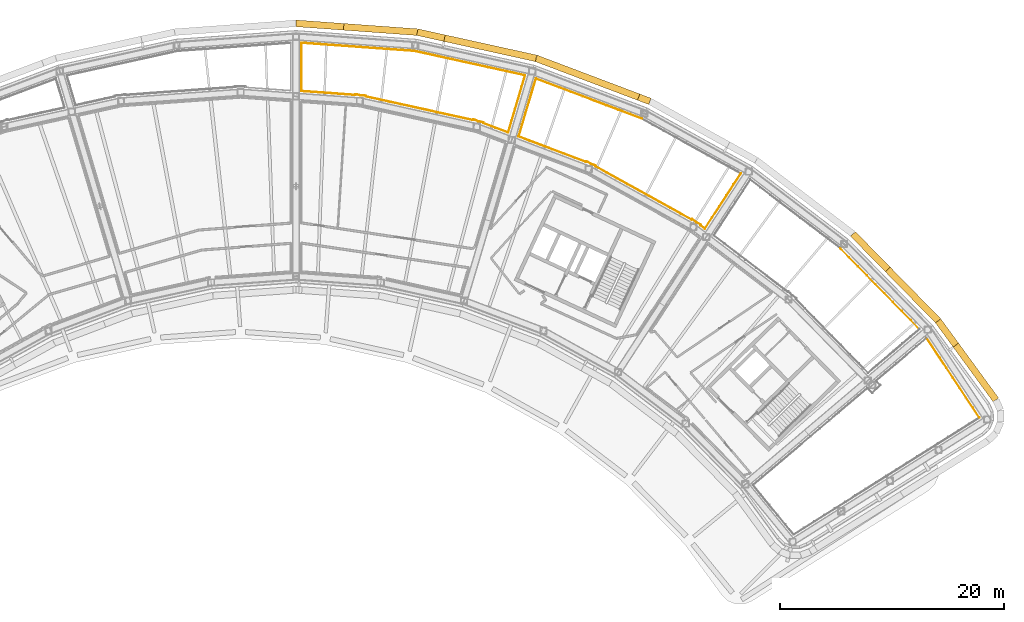
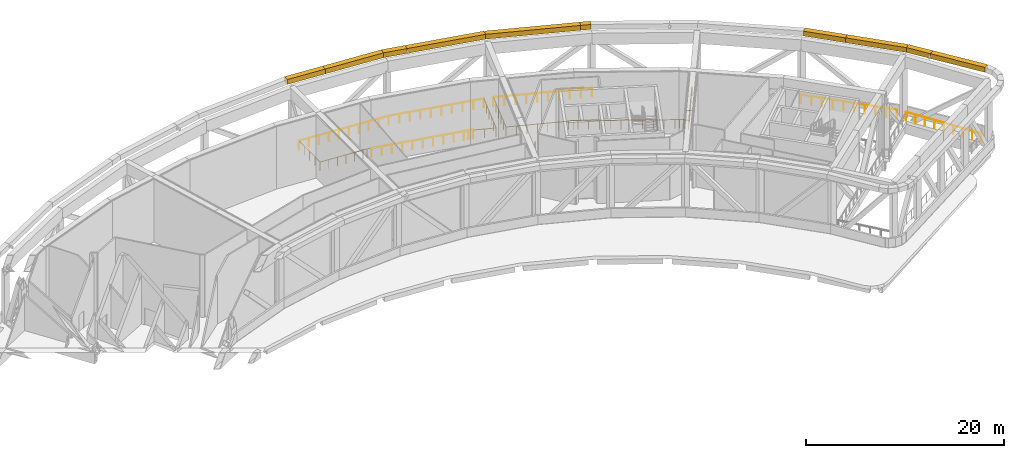
# One storey, part 25 of 27: 11 railings, 10 coverings.
"""IFC4 building model written with IfcOpenShell, lengths in metres."""

import ifcopenshell
import ifcopenshell.guid

model = None  # the IFC model being written
_history = None  # IfcOwnerHistory: only IFC2X3 demands one
_inside = {}  # id of a spatial element -> (the spatial element, [elements in it])
_under = {}  # id of a project, library or spatial element -> (it, [spatial elements below it])
_declared = {}  # id of a project -> (the project, [libraries it declares])
_typed = {}  # id of a type object -> (the type object, [elements of that type])
_made_of = {}  # id of a material, layer set ... -> (it, [elements and type objects made of it])


def new_model(schema):
    """Start an empty IFC model of exactly this schema.

    Asked for "IFC4X3", IfcOpenShell would pick the latest addendum, in which some entities
    have other attributes; the version numbers below select the first issue.
    IFC2X3 requires an IfcOwnerHistory on every rooted entity: one is made here for all.
    """
    global model, _history
    if schema == "IFC4X3":
        model = ifcopenshell.file(schema_version=(4, 3, 0, 0))
    else:
        model = ifcopenshell.file(schema=schema)
    _inside.clear()
    _under.clear()
    _declared.clear()
    _typed.clear()
    _made_of.clear()
    _history = None
    if model.schema == "IFC2X3":
        org = make("IfcOrganization", Name="unknown")
        user = make(
            "IfcPersonAndOrganization",
            ThePerson=make("IfcPerson", FamilyName="unknown"),
            TheOrganization=org,
        )
        app = make(
            "IfcApplication",
            ApplicationDeveloper=org,
            Version="unknown",
            ApplicationFullName="unknown",
            ApplicationIdentifier="unknown",
        )
        _history = make(
            "IfcOwnerHistory",
            OwningUser=user,
            OwningApplication=app,
            ChangeAction="ADDED",
            CreationDate=0,
        )
    return model


def make(cls, **values):
    """One entity of the class cls with the attributes given. An attribute that is None is left unset."""
    return model.create_entity(
        cls, **{name: value for name, value in values.items() if value is not None}
    )


def rooted(cls, **values):
    """An entity with a GlobalId (a new one), such as an element, a storey or a relation."""
    return make(cls, GlobalId=ifcopenshell.guid.new(), OwnerHistory=_history, **values)


def si_unit(unit_type, name, prefix=None):
    """IfcSIUnit, for example si_unit("LENGTHUNIT", "METRE", prefix="MILLI")."""
    return make("IfcSIUnit", UnitType=unit_type, Prefix=prefix, Name=name)


def assignment(units):
    """IfcUnitAssignment: the units of a project."""
    return None if units is None else make("IfcUnitAssignment", Units=units)


def point(xyz):
    """IfcCartesianPoint."""
    return None if xyz is None else make("IfcCartesianPoint", Coordinates=xyz)


def direction(xyz):
    """IfcDirection."""
    return None if xyz is None else make("IfcDirection", DirectionRatios=xyz)


def frame(location, z_axis=None, x_axis=None):
    """IfcAxis2Placement3D, a coordinate frame: its origin and axes. An axis left out is left unset."""
    return make(
        "IfcAxis2Placement3D",
        Location=point(location),
        Axis=direction(z_axis),
        RefDirection=direction(x_axis),
    )


def frame_2d(location, x_axis=None):
    """IfcAxis2Placement2D, a coordinate frame in the plane: its origin and x axis."""
    return make(
        "IfcAxis2Placement2D", Location=point(location), RefDirection=direction(x_axis)
    )


def origin():
    """The frame at (0, 0, 0) with its axes left unset."""
    return frame((0.0, 0.0, 0.0))


def origin_2d():
    """The frame at (0, 0) in the plane with its x axis left unset."""
    return frame_2d((0.0, 0.0))


def place(relative_to, where):
    """IfcLocalPlacement: puts the frame where relative to a parent placement (None: the world)."""
    return make(
        "IfcLocalPlacement", PlacementRelTo=relative_to, RelativePlacement=where
    )


def context(
    kind, dimensions, precision=None, world=None, true_north=None, identifier=None
):
    """IfcGeometricRepresentationContext, for example the 3D "Model" context."""
    return make(
        "IfcGeometricRepresentationContext",
        ContextIdentifier=identifier,
        ContextType=kind,
        CoordinateSpaceDimension=dimensions,
        Precision=precision,
        WorldCoordinateSystem=world,
        TrueNorth=true_north,
    )


def subcontext(parent, identifier, kind, view, scale=None):
    """IfcGeometricRepresentationSubContext, for example "Body" below "Model"."""
    return make(
        "IfcGeometricRepresentationSubContext",
        ContextIdentifier=identifier,
        ContextType=kind,
        ParentContext=parent,
        TargetScale=scale,
        TargetView=view,
    )


def project(units=None, contexts=None):
    """IfcProject with its units and contexts."""
    return rooted(
        "IfcProject",
        Name="project",
        RepresentationContexts=contexts,
        UnitsInContext=assignment(units),
    )


def spatial(cls, under=None, at=None, **own):
    """A site, building, storey or space (cls), placed at a placement, below another one or the project."""
    s = rooted(cls, ObjectPlacement=at, **own)
    if under is not None:
        _under.setdefault(under.id(), (under, []))[1].append(s)
    return s


def profile(cls, at=None, kind="AREA", **sizes):
    """A parametric profile (cls). Its sizes go by their IFC names, for example OverallWidth=200.0."""
    return make(cls, ProfileType=kind, Position=at, **sizes)


def rectangle(**sizes):
    """IfcRectangleProfileDef."""
    return profile("IfcRectangleProfileDef", **sizes)


def circle(**sizes):
    """IfcCircleProfileDef."""
    return profile("IfcCircleProfileDef", **sizes)


def extrude(swept, where, along, depth):
    """IfcExtrudedAreaSolid: the profile swept, set in the frame where, extruded along a direction by depth."""
    return make(
        "IfcExtrudedAreaSolid",
        SweptArea=swept,
        Position=where,
        ExtrudedDirection=direction(along),
        Depth=depth,
    )


def shape(context_of_items, identifier, shape_type, items):
    """IfcShapeRepresentation: the items that make up one representation, for example the "Body"."""
    return make(
        "IfcShapeRepresentation",
        ContextOfItems=context_of_items,
        RepresentationIdentifier=identifier,
        RepresentationType=shape_type,
        Items=items,
    )


def material(Name=None, Category=None):
    """IfcMaterial."""
    return make("IfcMaterial", Name=Name, Category=Category)


def material_profile(
    of_material, cross_section, Name=None, Category=None, Priority=None
):
    """IfcMaterialProfile: a cross section and its material."""
    return make(
        "IfcMaterialProfile",
        Name=Name,
        Material=of_material,
        Profile=cross_section,
        Priority=Priority,
        Category=Category,
    )


def profile_set(profiles, Name=None, composite=None):
    """IfcMaterialProfileSet."""
    return make(
        "IfcMaterialProfileSet",
        Name=Name,
        MaterialProfiles=profiles,
        CompositeProfile=composite,
    )


def made_of(thing, what):
    """Note that an element or type object is made of a material, layer set ...; save() writes the relation."""
    if what is not None:
        _made_of.setdefault(what.id(), (what, []))[1].append(thing)
    return thing


def type_object(cls, material=None, **own):
    """A type object (cls), such as IfcWallType, which elements share."""
    return made_of(rooted(cls, **own), material)


def element(
    cls,
    number,
    at=None,
    inside=None,
    cuts=None,
    type_object=None,
    material=None,
    context=None,
    identifier="Body",
    shape_type=None,
    held_by="IfcProductDefinitionShape",
    body=None,
    shapes=None,
    **own,
):
    """One element of the class cls, such as IfcWall. Its Tag is "e" and its number.

    at: its placement. inside: the storey or other place that contains it. cuts: it is an
    opening in that element (IfcRelVoidsElement). A single representation is given by context,
    identifier, shape_type and body (its items); several are given by shapes. held_by: the class
    of the entity that holds the representations. save() writes the other relations.
    """
    e = rooted(cls, Tag="e%d" % number, ObjectPlacement=at, **own)
    if body is not None:
        shapes = [shape(context, identifier, shape_type, body)]
    if shapes is not None:
        e.Representation = make(held_by, Representations=shapes)
    if inside is not None:
        _inside.setdefault(inside.id(), (inside, []))[1].append(e)
    if cuts is not None:
        rooted(
            "IfcRelVoidsElement", RelatingBuildingElement=cuts, RelatedOpeningElement=e
        )
    if type_object is not None:
        _typed.setdefault(type_object.id(), (type_object, []))[1].append(e)
    return made_of(e, material)


def aggregate(whole, parts):
    """IfcRelAggregates: a whole, such as a stair, and the parts it consists of."""
    return rooted("IfcRelAggregates", RelatingObject=whole, RelatedObjects=parts)


def save(model, path):
    """Write the relations noted so far, then the file.

    IfcRelAggregates (storeys below a building ...), IfcRelContainedInSpatialStructure (elements
    in a storey), IfcRelDefinesByType, IfcRelAssociatesMaterial and IfcRelDeclares: one each for
    every whole, place, type object, material and project.
    """
    for whole, parts in _under.values():
        aggregate(whole, parts)
    for where, things in _inside.values():
        rooted(
            "IfcRelContainedInSpatialStructure",
            RelatedElements=things,
            RelatingStructure=where,
        )
    for kind, things in _typed.values():
        rooted("IfcRelDefinesByType", RelatedObjects=things, RelatingType=kind)
    for what, things in _made_of.values():
        rooted("IfcRelAssociatesMaterial", RelatedObjects=things, RelatingMaterial=what)
    for by, libraries in _declared.values():
        rooted("IfcRelDeclares", RelatingContext=by, RelatedDefinitions=libraries)
    model.write(path)


model = new_model("IFC4")

# Units and contexts
model_context = context("Model", 3, precision=1e-05, world=origin(), true_north=direction((0.0, 1.0)))
body_context = subcontext(model_context, "Body", "Model", "MODEL_VIEW")
ifc_project = project(units=[si_unit("LENGTHUNIT", "METRE"), si_unit("AREAUNIT", "SQUARE_METRE"), si_unit("VOLUMEUNIT", "CUBIC_METRE"), si_unit("PLANEANGLEUNIT", "RADIAN"), si_unit("MASSUNIT", "GRAM", prefix="KILO")], contexts=[model_context])

# Site, building, storey
site_placement = place(None, origin())
site = spatial("IfcSite", under=ifc_project, at=site_placement, CompositionType="ELEMENT")
building_placement = place(site_placement, origin())
building = spatial("IfcBuilding", under=site, at=building_placement, Name="Tuul Gate Civic Tower", CompositionType="ELEMENT")
storey_placement = place(building_placement, frame((0.0, 0.0, 201.5)))
storey = spatial("IfcBuildingStorey", under=building, at=storey_placement, Name="Wind floor 1", CompositionType="ELEMENT", Elevation=201.5)

# Railings
ifc_material_1 = material(Name="Painted steel", Category="steel")
railing_type = type_object("IfcRailingType", Name="Slot guard", PredefinedType="GUARDRAIL", material=ifc_material_1)
railing_1_placement = place(storey_placement, frame((6.43994140625, 18.027587890625, 0.0)))
element("IfcRailing", 1, at=railing_1_placement, inside=storey, type_object=railing_type, Name="Guard", PredefinedType="GUARDRAIL", context=body_context, shape_type="SweptSolid", body=[
    extrude(circle(Radius=0.02392578125, at=origin_2d()), frame((0.0, 0.0, 1.076171875), z_axis=(0.0, -1.0, 0.0), x_axis=(1.0, 0.0, 0.0)), (0.0, 0.0, 1.0), 4.305419921875),
    extrude(circle(Radius=0.02392578125, at=origin_2d()), frame((0.0, -4.305419921875, 1.076171875), z_axis=(0.997384319373, -0.072280837497, 0.0), x_axis=(0.072280837497, 0.997384319373, 0.0)), (0.0, 0.0, 1.0), 4.816650390625),
    extrude(circle(Radius=0.02392578125, at=origin_2d()), frame((4.803955078125, -4.653564453125, 1.076171875), z_axis=(0.213481055631, 0.976947203736, 0.0), x_axis=(-0.976947203736, 0.213481055631, 0.0)), (0.0, 0.0, 1.0), 0.0673828125),
    extrude(circle(Radius=0.02392578125, at=origin_2d()), frame((4.818359375, -4.587646484375, 1.076171875), z_axis=(0.97654493923, -0.215313682019, 0.0), x_axis=(0.215313682019, 0.97654493923, 0.0)), (0.0, 0.0, 1.0), 0.4638671875),
    extrude(circle(Radius=0.02392578125, at=origin_2d()), frame((5.271240234375, -4.6875, 1.076171875), z_axis=(0.997396879043, -0.072107320543, 0.0), x_axis=(0.072107320543, 0.997396879043, 0.0)), (0.0, 0.0, 1.0), 0.4638671875),
    extrude(circle(Radius=0.02392578125, at=origin_2d()), frame((5.73388671875, -4.720947265625, 1.076171875), z_axis=(-0.072274260578, -0.997384795983, 0.0), x_axis=(0.997384795983, -0.072274260578, 0.0)), (0.0, 0.0, 1.0), 0.067626953125),
    extrude(circle(Radius=0.02099609375, at=origin_2d()), origin(), (0.0, 0.0, 1.0), 1.052001953125),
    extrude(circle(Radius=0.02099609375, at=origin_2d()), frame((0.0, -1.076416015625, 0.0)), (0.0, 0.0, 1.0), 1.052001953125),
    extrude(circle(Radius=0.02099609375, at=origin_2d()), frame((0.0, -2.15283203125, 0.0)), (0.0, 0.0, 1.0), 1.052001953125),
    extrude(circle(Radius=0.02099609375, at=origin_2d()), frame((0.0, -3.22900390625, 0.0)), (0.0, 0.0, 1.0), 1.052001953125),
    extrude(circle(Radius=0.02099609375, at=origin_2d()), frame((0.0, -4.305419921875, 0.0)), (0.0, 0.0, 1.0), 1.052001953125),
    extrude(circle(Radius=0.02099609375, at=origin_2d()), frame((0.960693359375, -4.375, 0.0)), (0.0, 0.0, 1.0), 1.052001953125),
    extrude(circle(Radius=0.02099609375, at=origin_2d()), frame((1.921630859375, -4.444580078125, 0.0)), (0.0, 0.0, 1.0), 1.052001953125),
    extrude(circle(Radius=0.02099609375, at=origin_2d()), frame((2.88232421875, -4.514404296875, 0.0)), (0.0, 0.0, 1.0), 1.052001953125),
    extrude(circle(Radius=0.02099609375, at=origin_2d()), frame((3.84326171875, -4.583984375, 0.0)), (0.0, 0.0, 1.0), 1.052001953125),
    extrude(circle(Radius=0.02099609375, at=origin_2d()), frame((4.803955078125, -4.653564453125, 0.0)), (0.0, 0.0, 1.0), 1.052001953125),
    extrude(circle(Radius=0.02099609375, at=origin_2d()), frame((4.818359375, -4.587646484375, 0.0)), (0.0, 0.0, 1.0), 1.052001953125),
    extrude(circle(Radius=0.02099609375, at=origin_2d()), frame((5.271240234375, -4.6875, 0.0)), (0.0, 0.0, 1.0), 1.052001953125),
    extrude(circle(Radius=0.02099609375, at=origin_2d()), frame((5.73388671875, -4.720947265625, 0.0)), (0.0, 0.0, 1.0), 1.052001953125),
    extrude(circle(Radius=0.02099609375, at=origin_2d()), frame((5.72900390625, -4.788330078125, 0.0)), (0.0, 0.0, 1.0), 1.052001953125),
])
railing_2_placement = place(storey_placement, frame((12.1689453125, 13.2392578125, 0.0)))
element("IfcRailing", 2, at=railing_2_placement, inside=storey, type_object=railing_type, Name="Guard", PredefinedType="GUARDRAIL", context=body_context, shape_type="SweptSolid", body=[
    extrude(circle(Radius=0.02392578125, at=origin_2d()), frame((0.0, 0.0, 1.076171875), z_axis=(0.976569543057, -0.215202062198, 0.0), x_axis=(0.215202062198, 0.976569543057, 0.0)), (0.0, 0.0, 1.0), 9.813232421875),
    extrude(circle(Radius=0.02392578125, at=origin_2d()), frame((9.583251953125, -2.11181640625, 1.076171875), z_axis=(0.355091110084, 0.934831697975, 0.0), x_axis=(-0.934831697975, 0.355091110084, 0.0)), (0.0, 0.0, 1.0), 0.0673828125),
    extrude(circle(Radius=0.02392578125, at=origin_2d()), frame((9.607177734375, -2.048828125, 1.076171875), z_axis=(0.935526230652, -0.35325723172, 0.0), x_axis=(0.35325723172, 0.935526230652, 0.0)), (0.0, 0.0, 1.0), 0.463623046875),
    extrude(circle(Radius=0.02392578125, at=origin_2d()), frame((10.041015625, -2.212646484375, 1.076171875), z_axis=(0.97654493923, -0.215313682019, 0.0), x_axis=(0.215313682019, 0.97654493923, 0.0)), (0.0, 0.0, 1.0), 0.4638671875),
    extrude(circle(Radius=0.02392578125, at=origin_2d()), frame((10.493896484375, -2.3125, 1.076171875), z_axis=(-0.213481055631, -0.976947203736, 0.0), x_axis=(0.976947203736, -0.213481055631, 0.0)), (0.0, 0.0, 1.0), 0.0673828125),
    extrude(circle(Radius=0.02099609375, at=origin_2d()), origin(), (0.0, 0.0, 1.0), 1.052001953125),
    extrude(circle(Radius=0.02099609375, at=origin_2d()), frame((1.064697265625, -0.234619140625, 0.0)), (0.0, 0.0, 1.0), 1.052001953125),
    extrude(circle(Radius=0.02099609375, at=origin_2d()), frame((2.129638671875, -0.46923828125, 0.0)), (0.0, 0.0, 1.0), 1.052001953125),
    extrude(circle(Radius=0.02099609375, at=origin_2d()), frame((3.1943359375, -0.703857421875, 0.0)), (0.0, 0.0, 1.0), 1.052001953125),
    extrude(circle(Radius=0.02099609375, at=origin_2d()), frame((4.25927734375, -0.9384765625, 0.0)), (0.0, 0.0, 1.0), 1.052001953125),
    extrude(circle(Radius=0.02099609375, at=origin_2d()), frame((5.323974609375, -1.17333984375, 0.0)), (0.0, 0.0, 1.0), 1.052001953125),
    extrude(circle(Radius=0.02099609375, at=origin_2d()), frame((6.388916015625, -1.407958984375, 0.0)), (0.0, 0.0, 1.0), 1.052001953125),
    extrude(circle(Radius=0.02099609375, at=origin_2d()), frame((7.45361328125, -1.642578125, 0.0)), (0.0, 0.0, 1.0), 1.052001953125),
    extrude(circle(Radius=0.02099609375, at=origin_2d()), frame((8.5185546875, -1.877197265625, 0.0)), (0.0, 0.0, 1.0), 1.052001953125),
    extrude(circle(Radius=0.02099609375, at=origin_2d()), frame((9.583251953125, -2.11181640625, 0.0)), (0.0, 0.0, 1.0), 1.052001953125),
    extrude(circle(Radius=0.02099609375, at=origin_2d()), frame((9.607177734375, -2.048828125, 0.0)), (0.0, 0.0, 1.0), 1.052001953125),
    extrude(circle(Radius=0.02099609375, at=origin_2d()), frame((10.041015625, -2.212646484375, 0.0)), (0.0, 0.0, 1.0), 1.052001953125),
    extrude(circle(Radius=0.02099609375, at=origin_2d()), frame((10.493896484375, -2.3125, 0.0)), (0.0, 0.0, 1.0), 1.052001953125),
    extrude(circle(Radius=0.02099609375, at=origin_2d()), frame((10.4794921875, -2.37841796875, 0.0)), (0.0, 0.0, 1.0), 1.052001953125),
])
railing_3_placement = place(storey_placement, frame((22.6484375, 10.86083984375, 0.0)))
element("IfcRailing", 3, at=railing_3_placement, inside=storey, type_object=railing_type, Name="Guard", PredefinedType="GUARDRAIL", context=body_context, shape_type="SweptSolid", body=[
    extrude(circle(Radius=0.02392578125, at=origin_2d()), frame((0.0, 0.0, 1.076171875), z_axis=(0.935356266976, -0.353707016936, 0.0), x_axis=(0.353707016936, 0.935356266976, 0.0)), (0.0, 0.0, 1.0), 2.370361328125),
    extrude(circle(Radius=0.02392578125, at=origin_2d()), frame((2.217041015625, -0.83837890625, 1.076171875), z_axis=(0.285247072849, 0.958454019466, 0.0), x_axis=(-0.958454019466, 0.285247072849, 0.0)), (0.0, 0.0, 1.0), 5.322021484375),
    extrude(circle(Radius=0.02099609375, at=origin_2d()), origin(), (0.0, 0.0, 1.0), 1.052001953125),
    extrude(circle(Radius=0.02099609375, at=origin_2d()), frame((1.1083984375, -0.419189453125, 0.0)), (0.0, 0.0, 1.0), 1.052001953125),
    extrude(circle(Radius=0.02099609375, at=origin_2d()), frame((2.217041015625, -0.83837890625, 0.0)), (0.0, 0.0, 1.0), 1.052001953125),
    extrude(circle(Radius=0.02099609375, at=origin_2d()), frame((2.520751953125, 0.181884765625, 0.0)), (0.0, 0.0, 1.0), 1.052001953125),
    extrude(circle(Radius=0.02099609375, at=origin_2d()), frame((2.82421875, 1.201904296875, 0.0)), (0.0, 0.0, 1.0), 1.052001953125),
    extrude(circle(Radius=0.02099609375, at=origin_2d()), frame((3.1279296875, 2.22216796875, 0.0)), (0.0, 0.0, 1.0), 1.052001953125),
    extrude(circle(Radius=0.02099609375, at=origin_2d()), frame((3.431396484375, 3.2421875, 0.0)), (0.0, 0.0, 1.0), 1.052001953125),
    extrude(circle(Radius=0.02099609375, at=origin_2d()), frame((3.735107421875, 4.262451171875, 0.0)), (0.0, 0.0, 1.0), 1.052001953125),
])
railing_4_placement = place(storey_placement, frame((26.383544921875, 15.123291015625, 0.0)))
element("IfcRailing", 4, at=railing_4_placement, inside=storey, type_object=railing_type, Name="Guard", PredefinedType="GUARDRAIL", context=body_context, shape_type="SweptSolid", body=[
    extrude(circle(Radius=0.02392578125, at=origin_2d()), frame((0.0, 0.0, 1.076171875), z_axis=(-0.976563672886, 0.215228698827, 0.0), x_axis=(-0.215228698827, -0.976563672886, 0.0)), (0.0, 0.0, 1.0), 10.103515625),
    extrude(circle(Radius=0.02099609375, at=origin_2d()), origin(), (0.0, 0.0, 1.0), 1.052001953125),
    extrude(circle(Radius=0.02099609375, at=origin_2d()), frame((-1.09619140625, 0.24169921875, 0.0)), (0.0, 0.0, 1.0), 1.052001953125),
    extrude(circle(Radius=0.02099609375, at=origin_2d()), frame((-2.192626953125, 0.483154296875, 0.0)), (0.0, 0.0, 1.0), 1.052001953125),
    extrude(circle(Radius=0.02099609375, at=origin_2d()), frame((-3.288818359375, 0.724853515625, 0.0)), (0.0, 0.0, 1.0), 1.052001953125),
    extrude(circle(Radius=0.02099609375, at=origin_2d()), frame((-4.38525390625, 0.966552734375, 0.0)), (0.0, 0.0, 1.0), 1.052001953125),
    extrude(circle(Radius=0.02099609375, at=origin_2d()), frame((-5.4814453125, 1.2080078125, 0.0)), (0.0, 0.0, 1.0), 1.052001953125),
    extrude(circle(Radius=0.02099609375, at=origin_2d()), frame((-6.577880859375, 1.44970703125, 0.0)), (0.0, 0.0, 1.0), 1.052001953125),
    extrude(circle(Radius=0.02099609375, at=origin_2d()), frame((-7.674072265625, 1.69140625, 0.0)), (0.0, 0.0, 1.0), 1.052001953125),
    extrude(circle(Radius=0.02099609375, at=origin_2d()), frame((-8.7705078125, 1.932861328125, 0.0)), (0.0, 0.0, 1.0), 1.052001953125),
    extrude(circle(Radius=0.02099609375, at=origin_2d()), frame((-9.86669921875, 2.174560546875, 0.0)), (0.0, 0.0, 1.0), 1.052001953125),
])
railing_5_placement = place(storey_placement, frame((16.516845703125, 17.2978515625, 0.0)))
element("IfcRailing", 5, at=railing_5_placement, inside=storey, type_object=railing_type, Name="Guard", PredefinedType="GUARDRAIL", context=body_context, shape_type="SweptSolid", body=[
    extrude(circle(Radius=0.02392578125, at=origin_2d()), frame((0.0, 0.0, 1.076171875), z_axis=(-0.997388177713, 0.072227577545, 0.0), x_axis=(-0.072227577545, -0.997388177713, 0.0)), (0.0, 0.0, 1.0), 10.103271484375),
    extrude(circle(Radius=0.02099609375, at=origin_2d()), origin(), (0.0, 0.0, 1.0), 1.052001953125),
    extrude(circle(Radius=0.02099609375, at=origin_2d()), frame((-1.11962890625, 0.0810546875, 0.0)), (0.0, 0.0, 1.0), 1.052001953125),
    extrude(circle(Radius=0.02099609375, at=origin_2d()), frame((-2.2392578125, 0.162109375, 0.0)), (0.0, 0.0, 1.0), 1.052001953125),
    extrude(circle(Radius=0.02099609375, at=origin_2d()), frame((-3.35888671875, 0.2431640625, 0.0)), (0.0, 0.0, 1.0), 1.052001953125),
    extrude(circle(Radius=0.02099609375, at=origin_2d()), frame((-4.478515625, 0.32421875, 0.0)), (0.0, 0.0, 1.0), 1.052001953125),
    extrude(circle(Radius=0.02099609375, at=origin_2d()), frame((-5.598388671875, 0.405517578125, 0.0)), (0.0, 0.0, 1.0), 1.052001953125),
    extrude(circle(Radius=0.02099609375, at=origin_2d()), frame((-6.718017578125, 0.486572265625, 0.0)), (0.0, 0.0, 1.0), 1.052001953125),
    extrude(circle(Radius=0.02099609375, at=origin_2d()), frame((-7.837646484375, 0.567626953125, 0.0)), (0.0, 0.0, 1.0), 1.052001953125),
    extrude(circle(Radius=0.02099609375, at=origin_2d()), frame((-8.957275390625, 0.648681640625, 0.0)), (0.0, 0.0, 1.0), 1.052001953125),
    extrude(circle(Radius=0.02099609375, at=origin_2d()), frame((-10.076904296875, 0.729736328125, 0.0)), (0.0, 0.0, 1.0), 1.052001953125),
])
railing_6_placement = place(storey_placement, frame((27.341796875, 14.838134765625, 0.0)))
element("IfcRailing", 6, at=railing_6_placement, inside=storey, type_object=railing_type, Name="Guard", PredefinedType="GUARDRAIL", context=body_context, shape_type="SweptSolid", body=[
    extrude(circle(Radius=0.02392578125, at=origin_2d()), frame((0.0, 0.0, 1.076171875), z_axis=(-0.285183803566, -0.958472846868, 0.0), x_axis=(0.958472846868, -0.285183803566, 0.0)), (0.0, 0.0, 1.0), 5.394287109375),
    extrude(circle(Radius=0.02392578125, at=origin_2d()), frame((-1.538330078125, -5.170166015625, 1.076171875), z_axis=(0.935368991283, -0.353673366465, 0.0), x_axis=(0.353673366465, 0.935368991283, 0.0)), (0.0, 0.0, 1.0), 6.439208984375),
    extrude(circle(Radius=0.02392578125, at=origin_2d()), frame((4.484619140625, -7.447509765625, 1.076171875), z_axis=(0.484414704416, 0.874838496035, 0.0), x_axis=(-0.874838496035, 0.484414704416, 0.0)), (0.0, 0.0, 1.0), 0.067626953125),
    extrude(circle(Radius=0.02099609375, at=origin_2d()), origin(), (0.0, 0.0, 1.0), 1.052001953125),
    extrude(circle(Radius=0.02099609375, at=origin_2d()), frame((-0.3076171875, -1.033935546875, 0.0)), (0.0, 0.0, 1.0), 1.052001953125),
    extrude(circle(Radius=0.02099609375, at=origin_2d()), frame((-0.615234375, -2.068115234375, 0.0)), (0.0, 0.0, 1.0), 1.052001953125),
    extrude(circle(Radius=0.02099609375, at=origin_2d()), frame((-0.923095703125, -3.10205078125, 0.0)), (0.0, 0.0, 1.0), 1.052001953125),
    extrude(circle(Radius=0.02099609375, at=origin_2d()), frame((-1.230712890625, -4.13623046875, 0.0)), (0.0, 0.0, 1.0), 1.052001953125),
    extrude(circle(Radius=0.02099609375, at=origin_2d()), frame((-1.538330078125, -5.170166015625, 0.0)), (0.0, 0.0, 1.0), 1.052001953125),
    extrude(circle(Radius=0.02099609375, at=origin_2d()), frame((-0.534423828125, -5.5498046875, 0.0)), (0.0, 0.0, 1.0), 1.052001953125),
    extrude(circle(Radius=0.02099609375, at=origin_2d()), frame((0.46923828125, -5.92919921875, 0.0)), (0.0, 0.0, 1.0), 1.052001953125),
    extrude(circle(Radius=0.02099609375, at=origin_2d()), frame((1.47314453125, -6.308837890625, 0.0)), (0.0, 0.0, 1.0), 1.052001953125),
    extrude(circle(Radius=0.02099609375, at=origin_2d()), frame((2.47705078125, -6.6884765625, 0.0)), (0.0, 0.0, 1.0), 1.052001953125),
    extrude(circle(Radius=0.02099609375, at=origin_2d()), frame((3.480712890625, -7.06787109375, 0.0)), (0.0, 0.0, 1.0), 1.052001953125),
    extrude(circle(Radius=0.02099609375, at=origin_2d()), frame((4.484619140625, -7.447509765625, 0.0)), (0.0, 0.0, 1.0), 1.052001953125),
    extrude(circle(Radius=0.02099609375, at=origin_2d()), frame((4.517333984375, -7.388427734375, 0.0)), (0.0, 0.0, 1.0), 1.052001953125),
])
railing_7_placement = place(storey_placement, frame((31.859130859375, 7.44970703125, 0.0)))
element("IfcRailing", 7, at=railing_7_placement, inside=storey, type_object=railing_type, Name="Guard", PredefinedType="GUARDRAIL", context=body_context, shape_type="SweptSolid", body=[
    extrude(circle(Radius=0.02392578125, at=origin_2d()), frame((0.0, 0.0, 1.076171875), z_axis=(0.874554359178, -0.484927492356, 0.0), x_axis=(0.484927492356, 0.874554359178, 0.0)), (0.0, 0.0, 1.0), 0.463623046875),
    extrude(circle(Radius=0.02392578125, at=origin_2d()), frame((0.405517578125, -0.224853515625, 1.076171875), z_axis=(0.93535216309, -0.353717869216, 0.0), x_axis=(0.353717869216, 0.93535216309, 0.0)), (0.0, 0.0, 1.0), 0.4638671875),
    extrude(circle(Radius=0.02392578125, at=origin_2d()), frame((0.83935546875, -0.388916015625, 1.076171875), z_axis=(-0.353892097416, -0.935286257456, 0.0), x_axis=(0.935286257456, -0.353892097416, 0.0)), (0.0, 0.0, 1.0), 0.067626953125),
    extrude(circle(Radius=0.02392578125, at=origin_2d()), frame((0.8154296875, -0.4521484375, 1.076171875), z_axis=(0.874587665368, -0.484867420627, 0.0), x_axis=(0.484867420627, 0.874587665368, 0.0)), (0.0, 0.0, 1.0), 9.81201171875),
    extrude(circle(Radius=0.02392578125, at=origin_2d()), frame((9.39697265625, -5.209716796875, 1.076171875), z_axis=(0.606913603362, 0.794767813927, 0.0), x_axis=(-0.794767813927, 0.606913603362, 0.0)), (0.0, 0.0, 1.0), 0.067626953125),
    extrude(circle(Radius=0.02392578125, at=origin_2d()), frame((9.43798828125, -5.156005859375, 1.076171875), z_axis=(0.795492142745, -0.60596390225, 0.0), x_axis=(0.60596390225, 0.795492142745, 0.0)), (0.0, 0.0, 1.0), 0.463623046875),
    extrude(circle(Radius=0.02392578125, at=origin_2d()), frame((9.806884765625, -5.43701171875, 1.076171875), z_axis=(0.874678088002, -0.484704283424, 0.0), x_axis=(0.484704283424, 0.874678088002, 0.0)), (0.0, 0.0, 1.0), 0.4638671875),
    extrude(circle(Radius=0.02392578125, at=origin_2d()), frame((10.212646484375, -5.661865234375, 1.076171875), z_axis=(-0.484414704416, -0.874838496035, 0.0), x_axis=(0.874838496035, -0.484414704416, 0.0)), (0.0, 0.0, 1.0), 0.067626953125),
    extrude(circle(Radius=0.02099609375, at=origin_2d()), origin(), (0.0, 0.0, 1.0), 1.052001953125),
    extrude(circle(Radius=0.02099609375, at=origin_2d()), frame((0.405517578125, -0.224853515625, 0.0)), (0.0, 0.0, 1.0), 1.052001953125),
    extrude(circle(Radius=0.02099609375, at=origin_2d()), frame((0.83935546875, -0.388916015625, 0.0)), (0.0, 0.0, 1.0), 1.052001953125),
    extrude(circle(Radius=0.02099609375, at=origin_2d()), frame((0.8154296875, -0.4521484375, 0.0)), (0.0, 0.0, 1.0), 1.052001953125),
    extrude(circle(Radius=0.02099609375, at=origin_2d()), frame((1.76904296875, -0.980712890625, 0.0)), (0.0, 0.0, 1.0), 1.052001953125),
    extrude(circle(Radius=0.02099609375, at=origin_2d()), frame((2.722412109375, -1.50927734375, 0.0)), (0.0, 0.0, 1.0), 1.052001953125),
    extrude(circle(Radius=0.02099609375, at=origin_2d()), frame((3.676025390625, -2.0380859375, 0.0)), (0.0, 0.0, 1.0), 1.052001953125),
    extrude(circle(Radius=0.02099609375, at=origin_2d()), frame((4.62939453125, -2.566650390625, 0.0)), (0.0, 0.0, 1.0), 1.052001953125),
    extrude(circle(Radius=0.02099609375, at=origin_2d()), frame((5.5830078125, -3.09521484375, 0.0)), (0.0, 0.0, 1.0), 1.052001953125),
    extrude(circle(Radius=0.02099609375, at=origin_2d()), frame((6.536376953125, -3.623779296875, 0.0)), (0.0, 0.0, 1.0), 1.052001953125),
    extrude(circle(Radius=0.02099609375, at=origin_2d()), frame((7.489990234375, -4.152587890625, 0.0)), (0.0, 0.0, 1.0), 1.052001953125),
    extrude(circle(Radius=0.02099609375, at=origin_2d()), frame((8.443359375, -4.68115234375, 0.0)), (0.0, 0.0, 1.0), 1.052001953125),
    extrude(circle(Radius=0.02099609375, at=origin_2d()), frame((9.39697265625, -5.209716796875, 0.0)), (0.0, 0.0, 1.0), 1.052001953125),
    extrude(circle(Radius=0.02099609375, at=origin_2d()), frame((9.43798828125, -5.156005859375, 0.0)), (0.0, 0.0, 1.0), 1.052001953125),
    extrude(circle(Radius=0.02099609375, at=origin_2d()), frame((9.806884765625, -5.43701171875, 0.0)), (0.0, 0.0, 1.0), 1.052001953125),
    extrude(circle(Radius=0.02099609375, at=origin_2d()), frame((10.212646484375, -5.661865234375, 0.0)), (0.0, 0.0, 1.0), 1.052001953125),
    extrude(circle(Radius=0.02099609375, at=origin_2d()), frame((10.179931640625, -5.720947265625, 0.0)), (0.0, 0.0, 1.0), 1.052001953125),
])
railing_8_placement = place(storey_placement, frame((42.0390625, 1.728759765625, 0.0)))
element("IfcRailing", 8, at=railing_8_placement, inside=storey, type_object=railing_type, Name="Guard", PredefinedType="GUARDRAIL", context=body_context, shape_type="SweptSolid", body=[
    extrude(circle(Radius=0.02392578125, at=origin_2d()), frame((0.0, 0.0, 1.076171875), z_axis=(0.795823276955, -0.605528952121, 0.0), x_axis=(0.605528952121, 0.795823276955, 0.0)), (0.0, 0.0, 1.0), 0.47216796875),
    extrude(circle(Radius=0.02392578125, at=origin_2d()), frame((0.375732421875, -0.285888671875, 1.076171875), z_axis=(0.546712268936, 0.83732054495, 0.0), x_axis=(-0.83732054495, 0.546712268936, 0.0)), (0.0, 0.0, 1.0), 5.8798828125),
    extrude(circle(Radius=0.02099609375, at=origin_2d()), origin(), (0.0, 0.0, 1.0), 1.052001953125),
    extrude(circle(Radius=0.02099609375, at=origin_2d()), frame((0.375732421875, -0.285888671875, 0.0)), (0.0, 0.0, 1.0), 1.052001953125),
    extrude(circle(Radius=0.02099609375, at=origin_2d()), frame((1.0185546875, 0.69873046875, 0.0)), (0.0, 0.0, 1.0), 1.052001953125),
    extrude(circle(Radius=0.02099609375, at=origin_2d()), frame((1.66162109375, 1.683349609375, 0.0)), (0.0, 0.0, 1.0), 1.052001953125),
    extrude(circle(Radius=0.02099609375, at=origin_2d()), frame((2.304443359375, 2.668212890625, 0.0)), (0.0, 0.0, 1.0), 1.052001953125),
    extrude(circle(Radius=0.02099609375, at=origin_2d()), frame((2.947509765625, 3.65283203125, 0.0)), (0.0, 0.0, 1.0), 1.052001953125),
    extrude(circle(Radius=0.02099609375, at=origin_2d()), frame((3.59033203125, 4.637451171875, 0.0)), (0.0, 0.0, 1.0), 1.052001953125),
])
railing_9_placement = place(storey_placement, frame((36.792236328125, 11.26416015625, 0.0)))
element("IfcRailing", 9, at=railing_9_placement, inside=storey, type_object=railing_type, Name="Guard", PredefinedType="GUARDRAIL", context=body_context, shape_type="SweptSolid", body=[
    extrude(circle(Radius=0.02392578125, at=origin_2d()), frame((0.0, 0.0, 1.076171875), z_axis=(-0.935347416673, 0.353730420127, 0.0), x_axis=(-0.353730420127, -0.935347416673, 0.0)), (0.0, 0.0, 1.0), 10.103759765625),
    extrude(circle(Radius=0.02099609375, at=origin_2d()), origin(), (0.0, 0.0, 1.0), 1.052001953125),
    extrude(circle(Radius=0.02099609375, at=origin_2d()), frame((-1.050048828125, 0.397216796875, 0.0)), (0.0, 0.0, 1.0), 1.052001953125),
    extrude(circle(Radius=0.02099609375, at=origin_2d()), frame((-2.10009765625, 0.794189453125, 0.0)), (0.0, 0.0, 1.0), 1.052001953125),
    extrude(circle(Radius=0.02099609375, at=origin_2d()), frame((-3.150146484375, 1.19140625, 0.0)), (0.0, 0.0, 1.0), 1.052001953125),
    extrude(circle(Radius=0.02099609375, at=origin_2d()), frame((-4.2001953125, 1.58837890625, 0.0)), (0.0, 0.0, 1.0), 1.052001953125),
    extrude(circle(Radius=0.02099609375, at=origin_2d()), frame((-5.250244140625, 1.985595703125, 0.0)), (0.0, 0.0, 1.0), 1.052001953125),
    extrude(circle(Radius=0.02099609375, at=origin_2d()), frame((-6.30029296875, 2.382568359375, 0.0)), (0.0, 0.0, 1.0), 1.052001953125),
    extrude(circle(Radius=0.02099609375, at=origin_2d()), frame((-7.350341796875, 2.77978515625, 0.0)), (0.0, 0.0, 1.0), 1.052001953125),
    extrude(circle(Radius=0.02099609375, at=origin_2d()), frame((-8.400390625, 3.1767578125, 0.0)), (0.0, 0.0, 1.0), 1.052001953125),
    extrude(circle(Radius=0.02099609375, at=origin_2d()), frame((-9.450439453125, 3.573974609375, 0.0)), (0.0, 0.0, 1.0), 1.052001953125),
])
railing_10_placement = place(storey_placement, frame((61.57861328125, -7.51611328125, 0.0)))
element("IfcRailing", 10, at=railing_10_placement, inside=storey, type_object=railing_type, Name="Guard", PredefinedType="GUARDRAIL", context=body_context, shape_type="SweptSolid", body=[
    extrude(circle(Radius=0.02392578125, at=origin_2d()), frame((0.0, 0.0, 1.076171875), z_axis=(-0.700040488132, 0.714103154296, 0.0), x_axis=(-0.714103154296, -0.700040488132, 0.0)), (0.0, 0.0, 1.0), 10.10400390625),
    extrude(circle(Radius=0.02099609375, at=origin_2d()), origin(), (0.0, 0.0, 1.0), 1.052001953125),
    extrude(circle(Radius=0.02099609375, at=origin_2d()), frame((-0.785888671875, 0.8017578125, 0.0)), (0.0, 0.0, 1.0), 1.052001953125),
    extrude(circle(Radius=0.02099609375, at=origin_2d()), frame((-1.57177734375, 1.603515625, 0.0)), (0.0, 0.0, 1.0), 1.052001953125),
    extrude(circle(Radius=0.02099609375, at=origin_2d()), frame((-2.357666015625, 2.405029296875, 0.0)), (0.0, 0.0, 1.0), 1.052001953125),
    extrude(circle(Radius=0.02099609375, at=origin_2d()), frame((-3.1435546875, 3.206787109375, 0.0)), (0.0, 0.0, 1.0), 1.052001953125),
    extrude(circle(Radius=0.02099609375, at=origin_2d()), frame((-3.9296875, 4.008544921875, 0.0)), (0.0, 0.0, 1.0), 1.052001953125),
    extrude(circle(Radius=0.02099609375, at=origin_2d()), frame((-4.715576171875, 4.810302734375, 0.0)), (0.0, 0.0, 1.0), 1.052001953125),
    extrude(circle(Radius=0.02099609375, at=origin_2d()), frame((-5.50146484375, 5.61181640625, 0.0)), (0.0, 0.0, 1.0), 1.052001953125),
    extrude(circle(Radius=0.02099609375, at=origin_2d()), frame((-6.287353515625, 6.41357421875, 0.0)), (0.0, 0.0, 1.0), 1.052001953125),
    extrude(circle(Radius=0.02099609375, at=origin_2d()), frame((-7.0732421875, 7.21533203125, 0.0)), (0.0, 0.0, 1.0), 1.052001953125),
])
railing_11_placement = place(storey_placement, frame((66.911865234375, -15.412353515625, 0.0)))
element("IfcRailing", 11, at=railing_11_placement, inside=storey, type_object=railing_type, Name="Guard", PredefinedType="GUARDRAIL", context=body_context, shape_type="SweptSolid", body=[
    extrude(circle(Radius=0.02392578125, at=origin_2d()), frame((0.0, 0.0, 1.076171875), z_axis=(-0.551599397514, 0.834109168312, 0.0), x_axis=(-0.834109168312, -0.551599397514, 0.0)), (0.0, 0.0, 1.0), 8.531982421875),
    extrude(circle(Radius=0.02099609375, at=origin_2d()), origin(), (0.0, 0.0, 1.0), 1.052001953125),
    extrude(circle(Radius=0.02099609375, at=origin_2d()), frame((-0.58837890625, 0.8896484375, 0.0)), (0.0, 0.0, 1.0), 1.052001953125),
    extrude(circle(Radius=0.02099609375, at=origin_2d()), frame((-1.176513671875, 1.779296875, 0.0)), (0.0, 0.0, 1.0), 1.052001953125),
    extrude(circle(Radius=0.02099609375, at=origin_2d()), frame((-1.764892578125, 2.668701171875, 0.0)), (0.0, 0.0, 1.0), 1.052001953125),
    extrude(circle(Radius=0.02099609375, at=origin_2d()), frame((-2.35302734375, 3.558349609375, 0.0)), (0.0, 0.0, 1.0), 1.052001953125),
    extrude(circle(Radius=0.02099609375, at=origin_2d()), frame((-2.94140625, 4.447998046875, 0.0)), (0.0, 0.0, 1.0), 1.052001953125),
    extrude(circle(Radius=0.02099609375, at=origin_2d()), frame((-3.52978515625, 5.33740234375, 0.0)), (0.0, 0.0, 1.0), 1.052001953125),
    extrude(circle(Radius=0.02099609375, at=origin_2d()), frame((-4.117919921875, 6.22705078125, 0.0)), (0.0, 0.0, 1.0), 1.052001953125),
    extrude(circle(Radius=0.02099609375, at=origin_2d()), frame((-4.706298828125, 7.11669921875, 0.0)), (0.0, 0.0, 1.0), 1.052001953125),
])

# Coverings
ifc_material_2 = material(Name="Terracotta baguette", Category="masonry")
ifc_material_profile = material_profile(ifc_material_2, rectangle(XDim=0.60009765625, YDim=0.60009765625, at=origin_2d()), Name="Terracotta baguette screen frame")
ifc_profile_set = profile_set([ifc_material_profile], Name="Terracotta baguette")
covering_type = type_object("IfcCoveringType", Name="Terracotta baguette screen frame", PredefinedType="CLADDING", material=ifc_profile_set)
covering_1_placement = place(storey_placement, frame((64.810302734375, -8.93701171875, 7.64990234375), z_axis=(-0.589822441222, 0.807532963928, 0.0), x_axis=(-0.807532963928, -0.589822441222, 0.0)))
element("IfcCovering", 12, at=covering_1_placement, inside=storey, type_object=covering_type, Name="Baguette 21", PredefinedType="CLADDING", context=body_context, shape_type="SweptSolid", body=[
    extrude(rectangle(XDim=0.60009765625, YDim=0.60009765625, at=origin_2d()), origin(), (0.0, 0.0, 1.0), 2.68017578125),
])
covering_2_placement = place(storey_placement, frame((63.2294921875, -6.772705078125, 7.64990234375), z_axis=(-0.700001676443, 0.714141199607, 0.0), x_axis=(-0.714141199607, -0.700001676443, 0.0)))
element("IfcCovering", 13, at=covering_2_placement, inside=storey, type_object=covering_type, Name="Baguette 22", PredefinedType="CLADDING", context=body_context, shape_type="SweptSolid", body=[
    extrude(rectangle(XDim=0.60009765625, YDim=0.60009765625, at=origin_2d()), origin(), (0.0, 0.0, 1.0), 6.406005859375),
])
covering_3_placement = place(storey_placement, frame((37.509033203125, 12.811279296875, 7.64990234375), z_axis=(-0.935396556142, 0.353600456388, 0.0), x_axis=(-0.353600456388, -0.935396556142, 0.0)))
element("IfcCovering", 14, at=covering_3_placement, inside=storey, type_object=covering_type, Name="Baguette 46", PredefinedType="CLADDING", context=body_context, shape_type="SweptSolid", body=[
    extrude(rectangle(XDim=0.60009765625, YDim=0.60009765625, at=origin_2d()), origin(), (0.0, 0.0, 1.0), 1.06884765625),
])
covering_4_placement = place(storey_placement, frame((19.192626953125, 18.448486328125, 7.64990234375), z_axis=(-0.976559571442, 0.215247307589, 0.0), x_axis=(-0.215247307589, -0.976559571442, 0.0)))
element("IfcCovering", 15, at=covering_4_placement, inside=storey, type_object=covering_type, Name="Baguette 63", PredefinedType="CLADDING", context=body_context, shape_type="SweptSolid", body=[
    extrude(rectangle(XDim=0.60009765625, YDim=0.60009765625, at=origin_2d()), origin(), (0.0, 0.0, 1.0), 2.488525390625),
])
covering_5_placement = place(storey_placement, frame((16.762451171875, 18.984130859375, 7.64990234375), z_axis=(-0.997382277304, 0.072309009954, 0.0), x_axis=(-0.072309009954, -0.997382277304, 0.0)))
element("IfcCovering", 16, at=covering_5_placement, inside=storey, type_object=covering_type, Name="Baguette 64", PredefinedType="CLADDING", context=body_context, shape_type="SweptSolid", body=[
    extrude(rectangle(XDim=0.60009765625, YDim=0.60009765625, at=origin_2d()), origin(), (0.0, 0.0, 1.0), 6.583984375),
])
covering_6_placement = place(storey_placement, frame((58.745361328125, -2.197998046875, 7.64990234375), z_axis=(-0.699986848634, 0.714155733534, 0.0), x_axis=(-0.714155733534, -0.699986848634, 0.0)))
element("IfcCovering", 17, at=covering_6_placement, inside=storey, type_object=covering_type, Name="Baguette 376", PredefinedType="CLADDING", context=body_context, shape_type="SweptSolid", body=[
    extrude(rectangle(XDim=0.60009765625, YDim=0.60009765625, at=origin_2d()), origin(), (0.0, 0.0, 1.0), 4.445556640625),
])
covering_7_placement = place(storey_placement, frame((36.50927734375, 13.189208984375, 7.64990234375), z_axis=(-0.935375980496, 0.353654881361, 0.0), x_axis=(-0.353654881361, -0.935375980496, 0.0)))
element("IfcCovering", 18, at=covering_7_placement, inside=storey, type_object=covering_type, Name="Baguette 379", PredefinedType="CLADDING", context=body_context, shape_type="SweptSolid", body=[
    extrude(rectangle(XDim=0.60009765625, YDim=0.60009765625, at=origin_2d()), origin(), (0.0, 0.0, 1.0), 9.781982421875),
])
covering_8_placement = place(storey_placement, frame((27.359375, 16.648681640625, 7.64990234375), z_axis=(-0.976566109565, 0.215217642513, 0.0), x_axis=(-0.215217642513, -0.976566109565, 0.0)))
element("IfcCovering", 19, at=covering_8_placement, inside=storey, type_object=covering_type, Name="Baguette 380", PredefinedType="CLADDING", context=body_context, shape_type="SweptSolid", body=[
    extrude(rectangle(XDim=0.60009765625, YDim=0.60009765625, at=origin_2d()), origin(), (0.0, 0.0, 1.0), 8.36279296875),
])
covering_9_placement = place(storey_placement, frame((10.19580078125, 19.460205078125, 7.64990234375), z_axis=(-0.99737731895, 0.072377369692, 0.0), x_axis=(-0.072377369692, -0.99737731895, 0.0)))
element("IfcCovering", 20, at=covering_9_placement, inside=storey, type_object=covering_type, Name="Baguette 381", PredefinedType="CLADDING", context=body_context, shape_type="SweptSolid", body=[
    extrude(rectangle(XDim=0.60009765625, YDim=0.60009765625, at=origin_2d()), origin(), (0.0, 0.0, 1.0), 4.26708984375),
])
covering_10_placement = place(storey_placement, frame((68.38134765625, -13.826416015625, 7.64990234375), z_axis=(-0.58980325004, 0.807546980827, 0.0), x_axis=(-0.807546980827, -0.58980325004, 0.0)))
element("IfcCovering", 21, at=covering_10_placement, inside=storey, type_object=covering_type, Name="Baguette 413", PredefinedType="CLADDING", context=body_context, shape_type="SweptSolid", body=[
    extrude(rectangle(XDim=0.60009765625, YDim=0.60009765625, at=origin_2d()), origin(), (0.0, 0.0, 1.0), 6.0546875),
])

save(model, "model.ifc")
